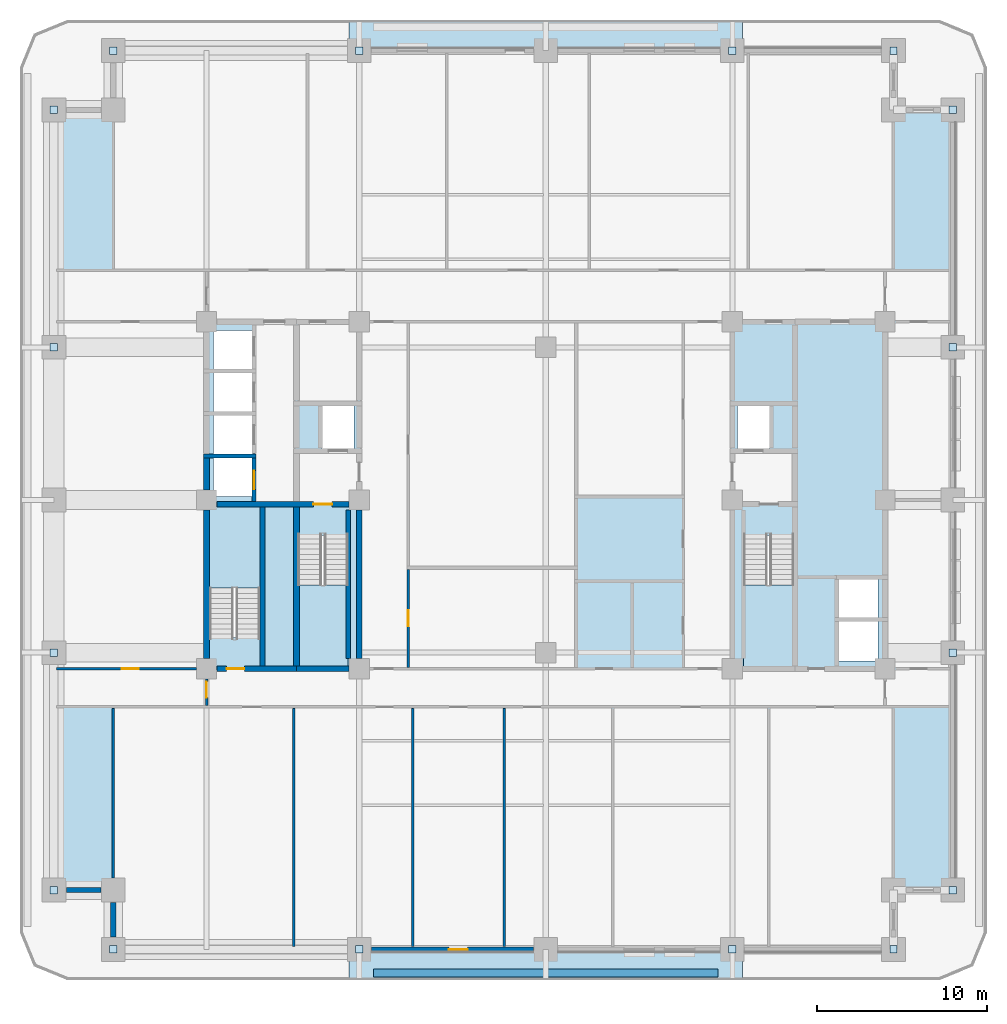
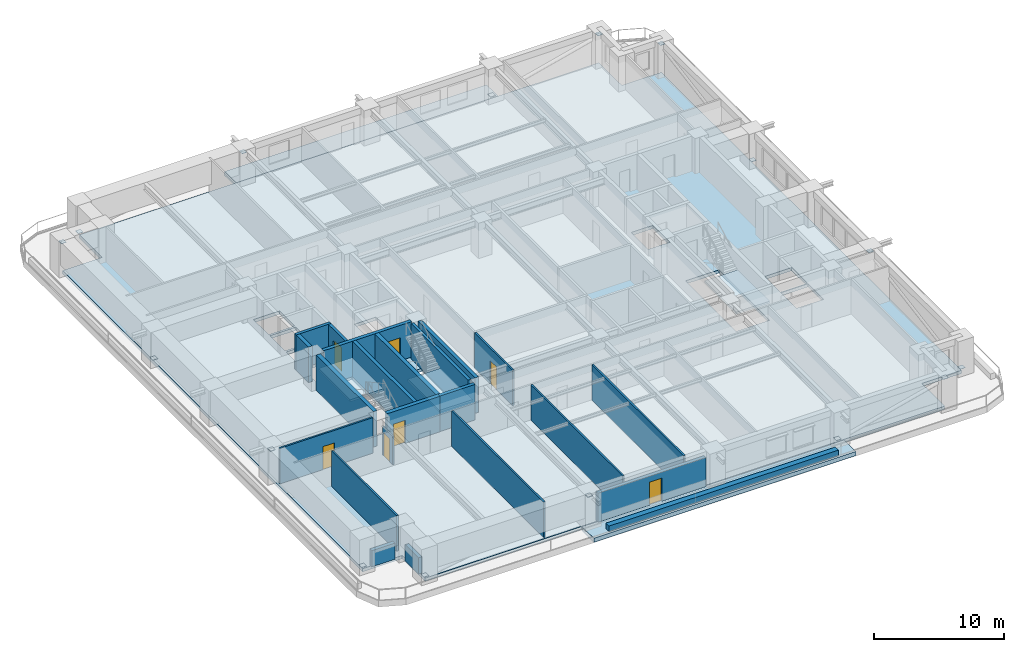
# One storey, part 2 of 14: 22 walls, 16 plates, 7 doors, 6 slabs, 7 openings, 3 elements without a shape of their own.
"""IFC4 building model written with IfcOpenShell, lengths in metres."""

from ifc_helpers import new_model, si_unit, direction, frame, frame_2d, origin, origin_2d, place, context, subcontext, project, spatial, polyline, rectangle, outline, extrude, material, layer, layer_set, type_object, element, fill, aggregate, save


model = new_model("IFC4")

# Units and contexts
model_context = context("Model", 3, precision=1e-05, world=origin(), true_north=direction((0.0, 1.0)))
body_context = subcontext(model_context, "Body", "Model", "MODEL_VIEW")
ifc_project = project(units=[si_unit("LENGTHUNIT", "METRE"), si_unit("AREAUNIT", "SQUARE_METRE"), si_unit("VOLUMEUNIT", "CUBIC_METRE"), si_unit("PLANEANGLEUNIT", "RADIAN"), si_unit("MASSUNIT", "GRAM", prefix="KILO")], contexts=[model_context])

# Site, building, storey
site_placement = place(None, origin())
site = spatial("IfcSite", under=ifc_project, at=site_placement, CompositionType="ELEMENT")
building_placement = place(site_placement, origin())
building = spatial("IfcBuilding", under=site, at=building_placement, Name="Zulmaris Gate Convention Tower", CompositionType="ELEMENT")
storey_placement = place(building_placement, frame((0.0, 0.0, 60.760009765625)))
storey = spatial("IfcBuildingStorey", under=building, at=storey_placement, Name="L14", CompositionType="ELEMENT", Elevation=60.760009765625)

# Plates
ifc_material_1 = material(Name="Steel S460", Category="steel")
ifc_layer_1 = layer(ifc_material_1, 0.02490234375, Name="Steel S460")
ifc_layer_set_1 = layer_set([ifc_layer_1], Name="Steel S460")
plate_type = type_object("IfcPlateType", Name="NP-CAP-440", PredefinedType="USERDEFINED", material=ifc_layer_set_1)
for number, where, z_axis, x_axis, name in (
    (1, (-29.0, -23.0, 0.28759765625), (0.0, 0.0, 1.0), (1.0, 0.0, 0.0), "L14 Steel Node Plate PBR-L14-SW-W-CAP"),
    (2, (-29.0, -9.0, 2.687255859375), (0.0, 0.0, 1.0), (1.0, 0.0, 0.0), "L14 Steel Node Plate PBR-L14-SW-W-CAPB"),
    (3, (-29.0, 9.0, 0.28759765625), (0.0, 0.0, 1.0), (1.0, 0.0, 0.0), "L14 Steel Node Plate PBR-L14-NW-W-CAP"),
    (4, (-29.0, 23.0, 2.687255859375), (0.0, 0.0, 1.0), (1.0, 0.0, 0.0), "L14 Steel Node Plate PBR-L14-NW-W-CAPB"),
    (5, (24.0, -23.0, 0.28759765625), (0.0, 0.0, 1.0), (1.0, 0.0, 0.0), "L14 Steel Node Plate PBR-L14-SE-E-CAP"),
    (6, (24.0, -9.0, 2.687255859375), (0.0, 0.0, 1.0), (1.0, 0.0, 0.0), "L14 Steel Node Plate PBR-L14-SE-E-CAPB"),
    (7, (24.0, 9.0, 0.28759765625), (0.0, 0.0, 1.0), (1.0, 0.0, 0.0), "L14 Steel Node Plate PBR-L14-NE-E-CAP"),
    (8, (24.0, 23.0, 2.687255859375), (0.0, 0.0, 1.0), (1.0, 0.0, 0.0), "L14 Steel Node Plate PBR-L14-NE-E-CAPB"),
    (9, (-25.5, -26.5, 0.28759765625), (0.0, 0.0, 1.0), (1.0, 0.0, 0.0), "L14 Steel Node Plate PBR-L14-SW-S-CAP"),
    (10, (-11.0, -26.5, 2.687255859375), (0.0, 0.0, 1.0), (1.0, 0.0, 0.0), "L14 Steel Node Plate PBR-L14-SW-S-CAPB"),
    (11, (11.0, -26.5, 0.28759765625), (0.0, 0.0, 1.0), (1.0, 0.0, 0.0), "L14 Steel Node Plate PBR-L14-SE-S-CAP"),
    (12, (20.5, -26.5, 2.687255859375), (0.0, 0.0, 1.0), (1.0, 0.0, 0.0), "L14 Steel Node Plate PBR-L14-SE-S-CAPB"),
    (13, (-25.5, 26.5, 0.28759765625), (0.0, 0.0, 1.0), (1.0, 0.0, 0.0), "L14 Steel Node Plate PBR-L14-NW-N-CAP"),
    (14, (-11.0, 26.5, 2.687255859375), (0.0, 0.0, 1.0), (1.0, 0.0, 0.0), "L14 Steel Node Plate PBR-L14-NW-N-CAPB"),
    (15, (11.0, 26.5, 0.28759765625), (0.0, 0.0, 1.0), (1.0, 0.0, 0.0), "L14 Steel Node Plate PBR-L14-NE-N-CAP"),
    (16, (20.5, 26.5, 2.687255859375), (0.0, 0.0, 1.0), (1.0, 0.0, 0.0), "L14 Steel Node Plate PBR-L14-NE-N-CAPB"),
):
    element("IfcPlate", number, at=place(storey_placement, frame(where, z_axis=z_axis, x_axis=x_axis)), inside=storey, type_object=plate_type, Name=name, ObjectType="FLANGE PLATE", PredefinedType="USERDEFINED", context=body_context, shape_type="SweptSolid", body=[
        extrude(rectangle(XDim=0.43994140625, YDim=0.43994140625, at=origin_2d()), origin(), (0.0, 0.0, 1.0), 0.02490234375),
    ])

# Slabs
ifc_material_2 = material(Name="Precast concrete C50/60", Category="concrete")
ifc_layer_2 = layer(ifc_material_2, 0.260009765625, Name="Precast concrete C50/60")
ifc_layer_set_2 = layer_set([ifc_layer_2], Name="Precast concrete C50/60")
slab_type_1 = type_object("IfcSlabType", Name="SL-BAL-260", PredefinedType="FLOOR", material=ifc_layer_set_2)
slab_1_placement = place(storey_placement, frame((0.0, 0.0, -0.425048828125)))
element("IfcSlab", 17, at=slab_1_placement, inside=storey, type_object=slab_type_1, Name="L14 South Tree-Balcony Planter Slab", PredefinedType="FLOOR", context=body_context, shape_type="SweptSolid", body=[
    extrude(outline(polyline([(-11.597900390625, -28.300048828125), (-11.597900390625, -26.5), (11.597900390625, -26.5), (11.597900390625, -28.300048828125), (-11.597900390625, -28.300048828125)])), origin(), (0.0, 0.0, 1.0), 0.385009765625),
])
slab_2_placement = place(storey_placement, frame((0.0, 0.0, -0.425048828125)))
element("IfcSlab", 18, at=slab_2_placement, inside=storey, type_object=slab_type_1, Name="L14 North Tree-Balcony Planter Slab", PredefinedType="FLOOR", context=body_context, shape_type="SweptSolid", body=[
    extrude(outline(polyline([(11.597900390625, 28.300048828125), (11.597900390625, 26.5), (-11.597900390625, 26.5), (-11.597900390625, 28.300048828125), (11.597900390625, 28.300048828125)])), origin(), (0.0, 0.0, 1.0), 0.385009765625),
])
ifc_material_3 = material(Name="Concrete C50/60", Category="concrete")
ifc_layer_3 = layer(ifc_material_3, 0.300048828125, Name="Concrete C50/60")
ifc_layer_set_3 = layer_set([ifc_layer_3], Name="Concrete C50/60")
slab_type_2 = type_object("IfcSlabType", Name="SL-FLR-300", PredefinedType="FLOOR", material=ifc_layer_set_3)
slab_3_placement = place(storey_placement, frame((0.0, 0.0, -0.300048828125)))
element("IfcSlab", 19, at=slab_3_placement, inside=storey, type_object=slab_type_2, Name="L14 Shifted Notched-Square Structural Floor Slab", PredefinedType="FLOOR", context=body_context, shape_type="SweptSolid", body=[
    extrude(outline(polyline([(-25.5, -26.5), (20.5, -26.5), (20.5, -23.0), (24.0, -23.0), (24.0, 23.0), (20.5, 23.0), (20.5, 26.5), (-25.5, 26.5), (-25.5, 23.0), (-29.0, 23.0), (-29.0, -23.0), (-25.5, -23.0), (-25.5, -26.5)]), holes=[polyline([(-14.6201171875, -2.080078125), (-14.6201171875, -9.85009765625), (-11.659912109375, -9.85009765625), (-11.659912109375, -2.080078125), (-14.6201171875, -2.080078125)]), polyline([(11.659912109375, -2.080078125), (11.659912109375, -9.85009765625), (14.6201171875, -9.85009765625), (14.6201171875, -2.080078125), (11.659912109375, -2.080078125)]), polyline([(-16.860107421875, -8.1201171875), (-16.860107421875, -0.35009765625), (-19.820068359375, -0.35009765625), (-19.820068359375, -8.1201171875), (-16.860107421875, -8.1201171875)]), polyline([(-13.199951171875, 3.0), (-11.300048828125, 3.0), (-11.300048828125, 5.60009765625), (-13.199951171875, 5.60009765625), (-13.199951171875, 3.0)]), polyline([(11.300048828125, 3.0), (13.199951171875, 3.0), (13.199951171875, 5.60009765625), (11.300048828125, 5.60009765625), (11.300048828125, 3.0)]), polyline([(-19.60009765625, 0.199951171875), (-17.300048828125, 0.199951171875), (-17.300048828125, 2.5), (-19.60009765625, 2.5), (-19.60009765625, 0.199951171875)]), polyline([(-19.60009765625, 2.699951171875), (-17.300048828125, 2.699951171875), (-17.300048828125, 5.0), (-19.60009765625, 5.0), (-19.60009765625, 2.699951171875)]), polyline([(-19.60009765625, 5.199951171875), (-17.300048828125, 5.199951171875), (-17.300048828125, 7.5), (-19.60009765625, 7.5), (-19.60009765625, 5.199951171875)]), polyline([(-19.60009765625, 7.699951171875), (-17.300048828125, 7.699951171875), (-17.300048828125, 10.0), (-19.60009765625, 10.0), (-19.60009765625, 7.699951171875)]), polyline([(17.199951171875, -9.5), (19.60009765625, -9.5), (19.60009765625, -7.10009765625), (17.199951171875, -7.10009765625), (17.199951171875, -9.5)]), polyline([(17.199951171875, -7.0), (19.60009765625, -7.0), (19.60009765625, -4.60009765625), (17.199951171875, -4.60009765625), (17.199951171875, -7.0)])]), origin(), (0.0, 0.0, 1.0), 0.300048828125),
])

# Stair, slab
ifc_material_4 = material(Name="Concrete C45/55", Category="concrete")
stair_type = type_object("IfcStairType", Name="ST-CORE-DOGLEG", PredefinedType="HALF_TURN_STAIR", material=ifc_material_4)
stair_1_placement = place(storey_placement, origin())
stair_1 = element("IfcStair", 20, at=stair_1_placement, inside=storey, type_object=stair_type, Name="L14 Core Exit Stair ST-1", PredefinedType="HALF_TURN_STAIR")
ifc_layer_4 = layer(ifc_material_4, 0.199951171875, Name="Concrete C45/55")
ifc_layer_set_4 = layer_set([ifc_layer_4], Name="Concrete C45/55")
slab_type_3 = type_object("IfcSlabType", Name="SL-LND-200", PredefinedType="LANDING", material=ifc_layer_set_4)
slab_4_placement = place(storey_placement, frame((0.0, 0.0, 1.5849609375)))
slab_4 = element("IfcSlab", 21, at=slab_4_placement, type_object=slab_type_3, Name="ST-1 landing 1", PredefinedType="LANDING", context=body_context, shape_type="SweptSolid", body=[
    extrude(outline(polyline([(-14.6201171875, -5.0), (-14.6201171875, -9.85009765625), (-11.659912109375, -9.85009765625), (-11.659912109375, -5.0), (-14.6201171875, -5.0)])), origin(), (0.0, 0.0, 1.0), 0.199951171875),
])
aggregate(stair_1, [slab_4])

stair_2_placement = place(storey_placement, origin())
stair_2 = element("IfcStair", 22, at=stair_2_placement, inside=storey, type_object=stair_type, Name="L14 Core Exit Stair ST-2", PredefinedType="HALF_TURN_STAIR")
slab_5_placement = place(storey_placement, frame((0.0, 0.0, 1.5849609375)))
slab_5 = element("IfcSlab", 23, at=slab_5_placement, type_object=slab_type_3, Name="ST-2 landing 1", PredefinedType="LANDING", context=body_context, shape_type="SweptSolid", body=[
    extrude(outline(polyline([(11.659912109375, -5.0), (11.659912109375, -9.85009765625), (14.6201171875, -9.85009765625), (14.6201171875, -5.0), (11.659912109375, -5.0)])), origin(), (0.0, 0.0, 1.0), 0.199951171875),
])
aggregate(stair_2, [slab_5])

stair_3_placement = place(storey_placement, origin())
stair_3 = element("IfcStair", 24, at=stair_3_placement, inside=storey, type_object=stair_type, Name="L14 Core Exit Stair ST-3", PredefinedType="HALF_TURN_STAIR")
slab_6_placement = place(storey_placement, frame((0.0, 0.0, 1.5849609375)))
slab_6 = element("IfcSlab", 25, at=slab_6_placement, type_object=slab_type_3, Name="ST-3 landing 1", PredefinedType="LANDING", context=body_context, shape_type="SweptSolid", body=[
    extrude(outline(polyline([(-16.860107421875, -5.199951171875), (-16.860107421875, -0.35009765625), (-19.820068359375, -0.35009765625), (-19.820068359375, -5.199951171875), (-16.860107421875, -5.199951171875)])), origin(), (0.0, 0.0, 1.0), 0.199951171875),
])
aggregate(stair_3, [slab_6])

# Wall
ifc_layer_5 = layer(ifc_material_3, 0.25, Name="Concrete C50/60")
ifc_layer_set_5 = layer_set([ifc_layer_5], Name="Concrete C50/60")
wall_type_1 = type_object("IfcWallType", Name="CORE-250", PredefinedType="SOLIDWALL", material=ifc_layer_set_5)
wall_1_placement = place(storey_placement, frame((-20.175048828125, 2.60009765625, 0.0), z_axis=(0.0, 0.0, 1.0), x_axis=(1.0, 0.0, 0.0)))
element("IfcWall", 26, at=wall_1_placement, inside=storey, type_object=wall_type_1, Name="WL-L14-009", PredefinedType="SOLIDWALL", context=body_context, shape_type="SweptSolid", body=[
    extrude(rectangle(XDim=3.10009765625, YDim=0.25, at=frame_2d((1.550048828125, 0.0))), origin(), (0.0, 0.0, 1.0), 3.31982421875),
])

# Wall, opening, door
wall_2_placement = place(storey_placement, frame((-17.199951171875, -0.097900390625, 0.0), z_axis=(0.0, 0.0, 1.0), x_axis=(0.0, 1.0, 0.0)))
wall_2 = element("IfcWall", 27, at=wall_2_placement, inside=storey, type_object=wall_type_1, Name="WL-L14-038", PredefinedType="SOLIDWALL", context=body_context, shape_type="SweptSolid", body=[
    extrude(rectangle(XDim=2.57080078125, YDim=0.25, at=frame_2d((1.285400390625, 0.0))), origin(), (0.0, 0.0, 1.0), 3.31982421875),
])
opening_1_placement = place(wall_2_placement, frame((0.722900390625, 0.0, 0.0)))
opening_1 = element("IfcOpeningElement", 28, at=opening_1_placement, cuts=wall_2, Name="Opening D-06", PredefinedType="OPENING", context=body_context, shape_type="SweptSolid", body=[
    extrude(rectangle(XDim=1.10009765625, YDim=2.199951171875, at=frame_2d((0.550048828125, 1.10009765625))), frame((0.0, 0.135009765625, 0.0), z_axis=(0.0, -1.0, 0.0), x_axis=(1.0, 0.0, 0.0)), (0.0, 0.0, 1.0), 0.27001953125),
])
ifc_material_5 = material(Name="Brushed Stainless Steel", Category="steel")
door_type_1 = type_object("IfcDoorType", Name="LD-1100", OperationType="NOTDEFINED", PredefinedType="DOOR", material=ifc_material_5)
door_1_placement = place(opening_1_placement, origin())
door_1 = element("IfcDoor", 29, at=door_1_placement, inside=storey, type_object=door_type_1, Name="L14 Lift Landing Door LP-01 11", OperationType="SLIDING_TO_LEFT", OverallHeight=2.199951171875, OverallWidth=1.10009765625, PredefinedType="DOOR", context=body_context, shape_type="SweptSolid", body=[
    extrude(rectangle(XDim=1.10009765625, YDim=2.199951171875, at=frame_2d((0.550048828125, 1.10009765625))), frame((0.0, 0.02490234375, 0.0), z_axis=(0.0, -1.0, 0.0), x_axis=(1.0, 0.0, 0.0)), (0.0, 0.0, 1.0), 0.050048828125),
])
fill(opening_1, door_1)

# Walls
wall_3_placement = place(storey_placement, frame((-11.64990234375, -9.345947265625, 0.0), z_axis=(0.0, 0.0, 1.0), x_axis=(0.0, 1.0, 0.0)))
element("IfcWall", 30, at=wall_3_placement, inside=storey, type_object=wall_type_1, Name="WL-L14-048", PredefinedType="SOLIDWALL", context=body_context, shape_type="SweptSolid", body=[
    extrude(rectangle(XDim=8.741943359375, YDim=0.25, at=frame_2d((4.37109375, 0.0))), origin(), (0.0, 0.0, 1.0), 3.31982421875),
])
ifc_layer_6 = layer(ifc_material_3, 0.300048828125, Name="Concrete C50/60")
ifc_layer_set_6 = layer_set([ifc_layer_6], Name="Concrete C50/60")
wall_type_2 = type_object("IfcWallType", Name="CORE-300", PredefinedType="SHEAR", material=ifc_layer_set_6)
wall_4_placement = place(storey_placement, frame((-14.699951171875, -9.949951171875, 0.0), z_axis=(0.0, 0.0, 1.0), x_axis=(1.0, 0.0, 0.0)))
element("IfcWall", 31, at=wall_4_placement, inside=storey, type_object=wall_type_2, Name="WL-L14-002", PredefinedType="SHEAR", context=body_context, shape_type="SweptSolid", body=[
    extrude(rectangle(XDim=3.095947265625, YDim=0.300048828125, at=frame_2d((1.5478515625, 0.0))), origin(), (0.0, 0.0, 1.0), 3.31982421875),
])

# Wall, opening, door
wall_5_placement = place(storey_placement, frame((-19.39599609375, -0.25, 0.0), z_axis=(0.0, 0.0, 1.0), x_axis=(1.0, 0.0, 0.0)))
wall_5 = element("IfcWall", 32, at=wall_5_placement, inside=storey, type_object=wall_type_2, Name="WL-L14-007", PredefinedType="SHEAR", context=body_context, shape_type="SweptSolid", body=[
    extrude(rectangle(XDim=7.7919921875, YDim=0.300048828125, at=frame_2d((3.89599609375, 0.0))), origin(), (0.0, 0.0, 1.0), 3.31982421875),
])
opening_2_placement = place(wall_5_placement, frame((5.696044921875, 0.0, 0.0)))
opening_2 = element("IfcOpeningElement", 33, at=opening_2_placement, cuts=wall_5, Name="Opening D-08", PredefinedType="OPENING", context=body_context, shape_type="SweptSolid", body=[
    extrude(rectangle(XDim=1.10009765625, YDim=2.14990234375, at=frame_2d((0.550048828125, 1.074951171875))), frame((0.0, 0.16015625, 0.0), z_axis=(0.0, -1.0, 0.0), x_axis=(1.0, 0.0, 0.0)), (0.0, 0.0, 1.0), 0.320068359375),
])
ifc_material_6 = material(Name="Fire-Rated Steel", Category="steel")
door_type_2 = type_object("IfcDoorType", Name="DR-1100-FD", OperationType="NOTDEFINED", PredefinedType="DOOR", material=ifc_material_6)
door_2_placement = place(opening_2_placement, origin())
door_2 = element("IfcDoor", 34, at=door_2_placement, inside=storey, type_object=door_type_2, Name="L14 Exit Stair ST-1 Door 01", OperationType="SINGLE_SWING_RIGHT", OverallHeight=2.14990234375, OverallWidth=1.10009765625, PredefinedType="DOOR", context=body_context, shape_type="SweptSolid", body=[
    extrude(rectangle(XDim=1.10009765625, YDim=2.14990234375, at=frame_2d((0.550048828125, 1.074951171875))), frame((0.0, 0.02490234375, 0.0), z_axis=(0.0, -1.0, 0.0), x_axis=(1.0, 0.0, 0.0)), (0.0, 0.0, 1.0), 0.050048828125),
])
fill(opening_2, door_2)

# Walls
wall_6_placement = place(storey_placement, frame((-16.699951171875, -9.77294921875, 0.0), z_axis=(0.0, 0.0, 1.0), x_axis=(0.0, 1.0, 0.0)))
element("IfcWall", 35, at=wall_6_placement, inside=storey, type_object=wall_type_2, Name="WL-L14-042", PredefinedType="SHEAR", context=body_context, shape_type="SweptSolid", body=[
    extrude(rectangle(XDim=9.370849609375, YDim=0.300048828125, at=frame_2d((4.685546875, 0.0))), origin(), (0.0, 0.0, 1.0), 3.31982421875),
])
wall_7_placement = place(storey_placement, frame((-11.0, -9.345947265625, 0.0), z_axis=(0.0, 0.0, 1.0), x_axis=(0.0, 1.0, 0.0)))
element("IfcWall", 36, at=wall_7_placement, inside=storey, type_object=wall_type_2, Name="WL-L14-049", PredefinedType="SHEAR", context=body_context, shape_type="SweptSolid", body=[
    extrude(rectangle(XDim=8.741943359375, YDim=0.300048828125, at=frame_2d((4.37109375, 0.0))), origin(), (0.0, 0.0, 1.0), 3.31982421875),
])

# Wall, opening, door
ifc_material_7 = material(Name="Concrete C55/67", Category="concrete")
ifc_layer_7 = layer(ifc_material_7, 0.35009765625, Name="Concrete C55/67")
ifc_layer_set_7 = layer_set([ifc_layer_7], Name="Concrete C55/67")
wall_type_3 = type_object("IfcWallType", Name="CORE-350", PredefinedType="SHEAR", material=ifc_layer_set_7)
wall_8_placement = place(storey_placement, frame((-19.39599609375, -9.949951171875, 0.0), z_axis=(0.0, 0.0, 1.0), x_axis=(1.0, 0.0, 0.0)))
wall_8 = element("IfcWall", 37, at=wall_8_placement, inside=storey, type_object=wall_type_3, Name="WL-L14-001", PredefinedType="SHEAR", context=body_context, shape_type="SweptSolid", body=[
    extrude(rectangle(XDim=4.696044921875, YDim=0.35009765625, at=frame_2d((2.34814453125, 0.0))), origin(), (0.0, 0.0, 1.0), 3.31982421875),
])
opening_3_placement = place(wall_8_placement, frame((0.571044921875, 0.0, 0.0)))
opening_3 = element("IfcOpeningElement", 38, at=opening_3_placement, cuts=wall_8, Name="Opening D-09", PredefinedType="OPENING", context=body_context, shape_type="SweptSolid", body=[
    extrude(rectangle(XDim=1.050048828125, YDim=2.14990234375, at=frame_2d((0.52490234375, 1.074951171875))), frame((0.0, 0.18505859375, 0.0), z_axis=(0.0, -1.0, 0.0), x_axis=(1.0, 0.0, 0.0)), (0.0, 0.0, 1.0), 0.3701171875),
])
door_type_3 = type_object("IfcDoorType", Name="DR-1050-FD", OperationType="NOTDEFINED", PredefinedType="DOOR", material=ifc_material_6)
door_3_placement = place(opening_3_placement, origin())
door_3 = element("IfcDoor", 39, at=door_3_placement, inside=storey, type_object=door_type_3, Name="L14 Exit Stair ST-3 Door 09", OperationType="SINGLE_SWING_RIGHT", OverallHeight=2.14990234375, OverallWidth=1.050048828125, PredefinedType="DOOR", context=body_context, shape_type="SweptSolid", body=[
    extrude(rectangle(XDim=1.050048828125, YDim=2.14990234375, at=frame_2d((0.52490234375, 1.074951171875))), frame((0.0, 0.02490234375, 0.0), z_axis=(0.0, -1.0, 0.0), x_axis=(1.0, 0.0, 0.0)), (0.0, 0.0, 1.0), 0.050048828125),
])
fill(opening_3, door_3)

# Walls
wall_9_placement = place(storey_placement, frame((-20.0, -9.345947265625, 0.0), z_axis=(0.0, 0.0, 1.0), x_axis=(0.0, 1.0, 0.0)))
element("IfcWall", 40, at=wall_9_placement, inside=storey, type_object=wall_type_3, Name="WL-L14-033", PredefinedType="SHEAR", context=body_context, shape_type="SweptSolid", body=[
    extrude(rectangle(XDim=8.741943359375, YDim=0.35009765625, at=frame_2d((4.37109375, 0.0))), origin(), (0.0, 0.0, 1.0), 3.31982421875),
])
wall_10_placement = place(storey_placement, frame((-20.0, 0.60400390625, 0.0), z_axis=(0.0, 0.0, 1.0), x_axis=(0.0, 1.0, 0.0)))
element("IfcWall", 41, at=wall_10_placement, inside=storey, type_object=wall_type_3, Name="WL-L14-034", PredefinedType="SHEAR", context=body_context, shape_type="SweptSolid", body=[
    extrude(rectangle(XDim=1.868896484375, YDim=0.35009765625, at=frame_2d((0.9345703125, 0.0))), origin(), (0.0, 0.0, 1.0), 3.31982421875),
])
wall_11_placement = place(storey_placement, frame((-14.699951171875, -9.77294921875, 0.0), z_axis=(0.0, 0.0, 1.0), x_axis=(0.0, 1.0, 0.0)))
element("IfcWall", 42, at=wall_11_placement, inside=storey, type_object=wall_type_3, Name="WL-L14-043", PredefinedType="SHEAR", context=body_context, shape_type="SweptSolid", body=[
    extrude(rectangle(XDim=9.370849609375, YDim=0.35009765625, at=frame_2d((4.685546875, 0.0))), origin(), (0.0, 0.0, 1.0), 3.31982421875),
])

# Wall, opening, door
ifc_material_8 = material(Name="Gypsum Metal Stud Partition")
ifc_layer_8 = layer(ifc_material_8, 0.14990234375, Name="Gypsum Metal Stud Partition")
ifc_layer_set_8 = layer_set([ifc_layer_8], Name="Gypsum Metal Stud Partition")
wall_type_4 = type_object("IfcWallType", Name="PART-150", PredefinedType="PARTITIONING", material=ifc_layer_set_8)
wall_12_placement = place(storey_placement, frame((-28.8349609375, -9.949951171875, 0.0), z_axis=(0.0, 0.0, 1.0), x_axis=(1.0, 0.0, 0.0)))
wall_12 = element("IfcWall", 43, at=wall_12_placement, inside=storey, type_object=wall_type_4, Name="WL-L14-021", PredefinedType="PARTITIONING", context=body_context, shape_type="SweptSolid", body=[
    extrude(rectangle(XDim=8.22900390625, YDim=0.14990234375, at=frame_2d((4.114501953125, 0.0))), origin(), (0.0, 0.0, 1.0), 3.31982421875),
])
opening_4_placement = place(wall_12_placement, frame((3.8349609375, 0.0, 0.0)))
opening_4 = element("IfcOpeningElement", 44, at=opening_4_placement, cuts=wall_12, Name="Opening D-10", PredefinedType="OPENING", context=body_context, shape_type="SweptSolid", body=[
    extrude(rectangle(XDim=1.0, YDim=2.14990234375, at=frame_2d((0.5, 1.074951171875))), frame((0.0, 0.0849609375, 0.0), z_axis=(0.0, -1.0, 0.0), x_axis=(1.0, 0.0, 0.0)), (0.0, 0.0, 1.0), 0.169921875),
])
ifc_material_9 = material(Name="Fire-Rated Timber", Category="wood")
door_type_4 = type_object("IfcDoorType", Name="DR-1000-FD", OperationType="NOTDEFINED", PredefinedType="DOOR", material=ifc_material_9)
door_4_placement = place(opening_4_placement, origin())
door_4 = element("IfcDoor", 45, at=door_4_placement, inside=storey, type_object=door_type_4, Name="L14 West Workplace South Door 41", OperationType="SINGLE_SWING_RIGHT", OverallHeight=2.14990234375, OverallWidth=1.0, PredefinedType="DOOR", context=body_context, shape_type="SweptSolid", body=[
    extrude(rectangle(XDim=1.0, YDim=2.14990234375, at=frame_2d((0.5, 1.074951171875))), frame((0.0, 0.02490234375, 0.0), z_axis=(0.0, -1.0, 0.0), x_axis=(1.0, 0.0, 0.0)), (0.0, 0.0, 1.0), 0.050048828125),
])
fill(opening_4, door_4)

# Wall
wall_13_placement = place(storey_placement, frame((-25.5, -22.2939453125, 0.0), z_axis=(0.0, 0.0, 1.0), x_axis=(0.0, 1.0, 0.0)))
element("IfcWall", 46, at=wall_13_placement, inside=storey, type_object=wall_type_4, Name="WL-L14-068", PredefinedType="PARTITIONING", context=body_context, shape_type="SweptSolid", body=[
    extrude(rectangle(XDim=10.015869140625, YDim=0.14990234375, at=frame_2d((5.0078125, 0.0))), origin(), (0.0, 0.0, 1.0), 3.31982421875),
])

# Wall, opening, door
wall_14_placement = place(storey_placement, frame((-20.0, -12.1220703125, 0.0), z_axis=(0.0, 0.0, 1.0), x_axis=(0.0, 1.0, 0.0)))
wall_14 = element("IfcWall", 47, at=wall_14_placement, inside=storey, type_object=wall_type_4, Name="WL-L14-070", PredefinedType="PARTITIONING", context=body_context, shape_type="SweptSolid", body=[
    extrude(rectangle(XDim=1.566162109375, YDim=0.14990234375, at=frame_2d((0.783203125, 0.0))), origin(), (0.0, 0.0, 1.0), 2.659912109375),
])
opening_5_placement = place(wall_14_placement, frame((0.466064453125, 0.0, 0.0)))
opening_5 = element("IfcOpeningElement", 48, at=opening_5_placement, cuts=wall_14, Name="Opening D-11", PredefinedType="OPENING", context=body_context, shape_type="SweptSolid", body=[
    extrude(rectangle(XDim=0.949951171875, YDim=2.14990234375, at=frame_2d((0.47509765625, 1.074951171875))), frame((0.0, 0.0849609375, 0.0), z_axis=(0.0, -1.0, 0.0), x_axis=(1.0, 0.0, 0.0)), (0.0, 0.0, 1.0), 0.169921875),
])
door_type_5 = type_object("IfcDoorType", Name="DR-950-FD", OperationType="NOTDEFINED", PredefinedType="DOOR", material=ifc_material_9)
door_5_placement = place(opening_5_placement, origin())
door_5 = element("IfcDoor", 49, at=door_5_placement, inside=storey, type_object=door_type_5, Name="L14 SW Spur Door 39", OperationType="SINGLE_SWING_RIGHT", OverallHeight=2.14990234375, OverallWidth=0.949951171875, PredefinedType="DOOR", context=body_context, shape_type="SweptSolid", body=[
    extrude(rectangle(XDim=0.949951171875, YDim=2.14990234375, at=frame_2d((0.47509765625, 1.074951171875))), frame((0.0, 0.02490234375, 0.0), z_axis=(0.0, -1.0, 0.0), x_axis=(1.0, 0.0, 0.0)), (0.0, 0.0, 1.0), 0.050048828125),
])
fill(opening_5, door_5)

# Wall
wall_15_placement = place(storey_placement, frame((-14.85009765625, -26.3349609375, 0.0), z_axis=(0.0, 0.0, 1.0), x_axis=(0.0, 1.0, 0.0)))
element("IfcWall", 50, at=wall_15_placement, inside=storey, type_object=wall_type_4, Name="WL-L14-072", PredefinedType="PARTITIONING", context=body_context, shape_type="SweptSolid", body=[
    extrude(rectangle(XDim=14.056884765625, YDim=0.14990234375, at=frame_2d((7.0283203125, 0.0))), origin(), (0.0, 0.0, 1.0), 3.31982421875),
])

# Wall, opening, door
wall_16_placement = place(storey_placement, frame((-8.10009765625, -9.8720703125, 0.0), z_axis=(0.0, 0.0, 1.0), x_axis=(0.0, 1.0, 0.0)))
wall_16 = element("IfcWall", 51, at=wall_16_placement, inside=storey, type_object=wall_type_4, Name="WL-L14-074", PredefinedType="PARTITIONING", context=body_context, shape_type="SweptSolid", body=[
    extrude(rectangle(XDim=5.76904296875, YDim=0.14990234375, at=frame_2d((2.884521484375, 0.0))), origin(), (0.0, 0.0, 1.0), 3.31982421875),
])
opening_6_placement = place(wall_16_placement, frame((2.427001953125, 0.0, 0.0)))
opening_6 = element("IfcOpeningElement", 52, at=opening_6_placement, cuts=wall_16, Name="Opening D-11", PredefinedType="OPENING", context=body_context, shape_type="SweptSolid", body=[
    extrude(rectangle(XDim=0.949951171875, YDim=2.14990234375, at=frame_2d((0.47509765625, 1.074951171875))), frame((0.0, 0.0849609375, 0.0), z_axis=(0.0, -1.0, 0.0), x_axis=(1.0, 0.0, 0.0)), (0.0, 0.0, 1.0), 0.169921875),
])
door_6_placement = place(opening_6_placement, origin())
door_6 = element("IfcDoor", 53, at=door_6_placement, inside=storey, type_object=door_type_5, Name="L14 Wellness Pantry Door 33", OperationType="SINGLE_SWING_RIGHT", OverallHeight=2.14990234375, OverallWidth=0.949951171875, PredefinedType="DOOR", context=body_context, shape_type="SweptSolid", body=[
    extrude(rectangle(XDim=0.949951171875, YDim=2.14990234375, at=frame_2d((0.47509765625, 1.074951171875))), frame((0.0, 0.02490234375, 0.0), z_axis=(0.0, -1.0, 0.0), x_axis=(1.0, 0.0, 0.0)), (0.0, 0.0, 1.0), 0.050048828125),
])
fill(opening_6, door_6)

# Walls
for number, where, z_axis, x_axis, name in (
    (54, (-7.85009765625, -26.3349609375, 0.0), (0.0, 0.0, 1.0), (0.0, 1.0, 0.0), "WL-L14-076"),
    (55, (-2.449951171875, -26.3349609375, 0.0), (0.0, 0.0, 1.0), (0.0, 1.0, 0.0), "WL-L14-078"),
):
    element("IfcWall", number, at=place(storey_placement, frame(where, z_axis=z_axis, x_axis=x_axis)), inside=storey, type_object=wall_type_4, Name=name, PredefinedType="PARTITIONING", context=body_context, shape_type="SweptSolid", body=[
        extrude(rectangle(XDim=14.056884765625, YDim=0.14990234375, at=frame_2d((7.0283203125, 0.0))), origin(), (0.0, 0.0, 1.0), 3.31982421875),
    ])
ifc_material_10 = material(Name="Botanical Green Glazed Precast Concrete C40/50", Category="concrete")
ifc_layer_9 = layer(ifc_material_10, 0.419921875, Name="Botanical Green Glazed Precast Concrete C40/50")
ifc_layer_set_9 = layer_set([ifc_layer_9], Name="Botanical Green Glazed Precast Concrete C40/50")
wall_type_5 = type_object("IfcWallType", Name="PLANTER-CURB-200", PredefinedType="PARAPET", material=ifc_layer_set_9)
wall_17_placement = place(storey_placement, frame((-10.14990234375, -27.8798828125, -0.0400390625), z_axis=(0.0, 0.0, 1.0), x_axis=(1.0, 0.0, 0.0)))
element("IfcWall", 56, at=wall_17_placement, inside=storey, type_object=wall_type_5, Name="L14 Full-Length Balcony Tree Planter Trough", PredefinedType="PARAPET", context=body_context, shape_type="SweptSolid", body=[
    extrude(rectangle(XDim=20.2998046875, YDim=0.47998046875, at=frame_2d((10.14990234375, 0.0))), origin(), (0.0, 0.0, 1.0), 0.52001953125),
])
ifc_material_11 = material(Name="Precast concrete C40/50", Category="concrete")
ifc_layer_10 = layer(ifc_material_11, 0.300048828125, Name="Precast concrete C40/50")
ifc_layer_set_10 = layer_set([ifc_layer_10], Name="Precast concrete C40/50")
wall_type_6 = type_object("IfcWallType", Name="PRECAST-PIER-300", PredefinedType="STANDARD", material=ifc_layer_set_10)
for number, where, z_axis, x_axis, name in (
    (57, (-28.27001953125, -23.0, 0.0), (0.0, 0.0, 1.0), (1.0, 0.0, 0.0), "EW-L14-NOTCH-SW1_0"),
    (58, (-25.5, -23.72998046875, 0.0), (0.0, 0.0, 1.0), (0.0, -1.0, 0.0), "EW-L14-NOTCH-SW2_0"),
):
    element("IfcWall", number, at=place(storey_placement, frame(where, z_axis=z_axis, x_axis=x_axis)), inside=storey, type_object=wall_type_6, Name=name, PredefinedType="STANDARD", context=body_context, shape_type="SweptSolid", body=[
        extrude(rectangle(XDim=2.0400390625, YDim=0.300048828125, at=frame_2d((1.02001953125, 0.0))), origin(), (0.0, 0.0, 1.0), 1.51171875),
    ])

# Wall, opening, door
wall_18_placement = place(storey_placement, frame((-10.27001953125, -26.5, 0.0), z_axis=(0.0, 0.0, 1.0), x_axis=(1.0, 0.0, 0.0)))
wall_18 = element("IfcWall", 59, at=wall_18_placement, inside=storey, type_object=wall_type_6, Name="EW-L14-S-1_0", PredefinedType="STANDARD", context=body_context, shape_type="SweptSolid", body=[
    extrude(rectangle(XDim=9.5400390625, YDim=0.300048828125, at=frame_2d((4.77001953125, 0.0))), origin(), (0.0, 0.0, 1.0), 2.711669921875),
])
opening_7_placement = place(wall_18_placement, frame((4.554931640625, 0.0, 0.0)))
opening_7 = element("IfcOpeningElement", 60, at=opening_7_placement, cuts=wall_18, Name="Opening D-04", PredefinedType="OPENING", context=body_context, shape_type="SweptSolid", body=[
    extrude(rectangle(XDim=1.10009765625, YDim=2.14990234375, at=frame_2d((0.550048828125, 1.074951171875))), frame((0.0, 0.16015625, 0.0), z_axis=(0.0, -1.0, 0.0), x_axis=(1.0, 0.0, 0.0)), (0.0, 0.0, 1.0), 0.320068359375),
])
ifc_material_12 = material(Name="Anodised Aluminium and Laminated Glass", Category="aluminium")
door_type_6 = type_object("IfcDoorType", Name="ED-1100", OperationType="SINGLE_SWING_RIGHT", PredefinedType="DOOR", material=ifc_material_12)
door_7_placement = place(opening_7_placement, origin())
door_7 = element("IfcDoor", 61, at=door_7_placement, inside=storey, type_object=door_type_6, Name="L14 S Planted Terrace Door", OperationType="SINGLE_SWING_RIGHT", OverallHeight=2.14990234375, OverallWidth=1.10009765625, PredefinedType="DOOR", context=body_context, shape_type="SweptSolid", body=[
    extrude(rectangle(XDim=1.10009765625, YDim=2.14990234375, at=frame_2d((0.550048828125, 1.074951171875))), frame((0.0, 0.02490234375, 0.0), z_axis=(0.0, -1.0, 0.0), x_axis=(1.0, 0.0, 0.0)), (0.0, 0.0, 1.0), 0.050048828125),
])
fill(opening_7, door_7)

save(model, "model.ifc")
